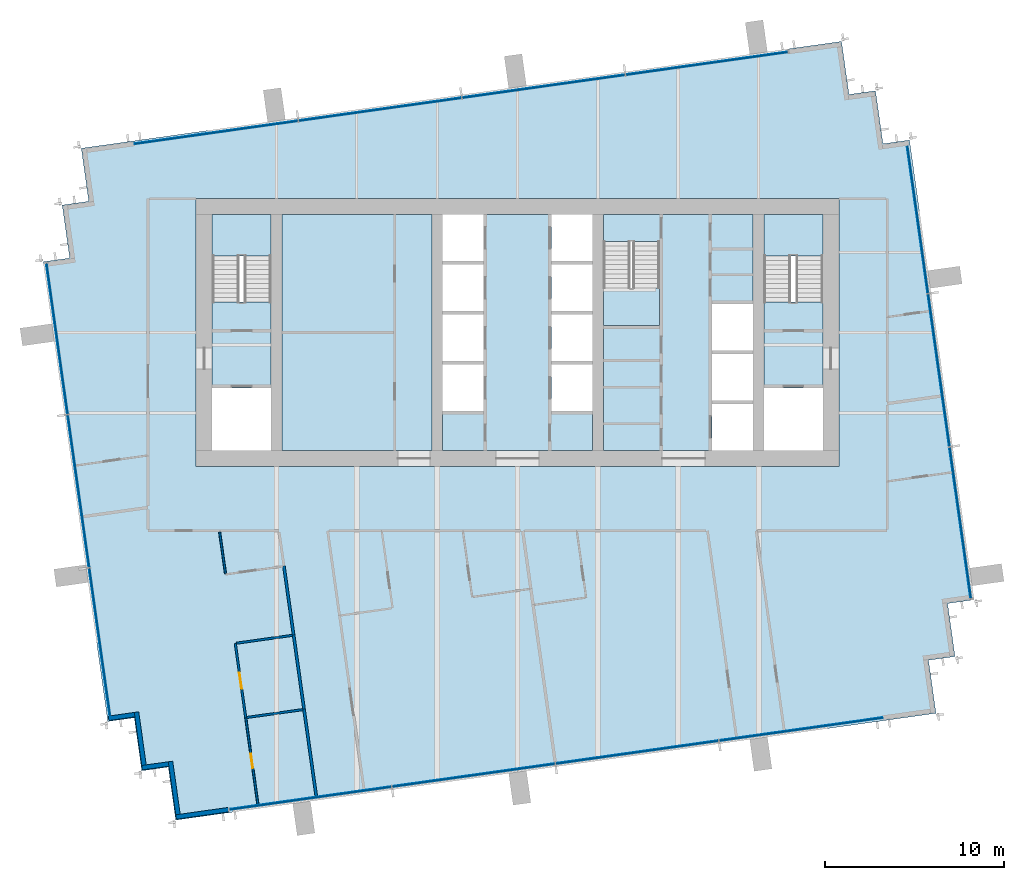
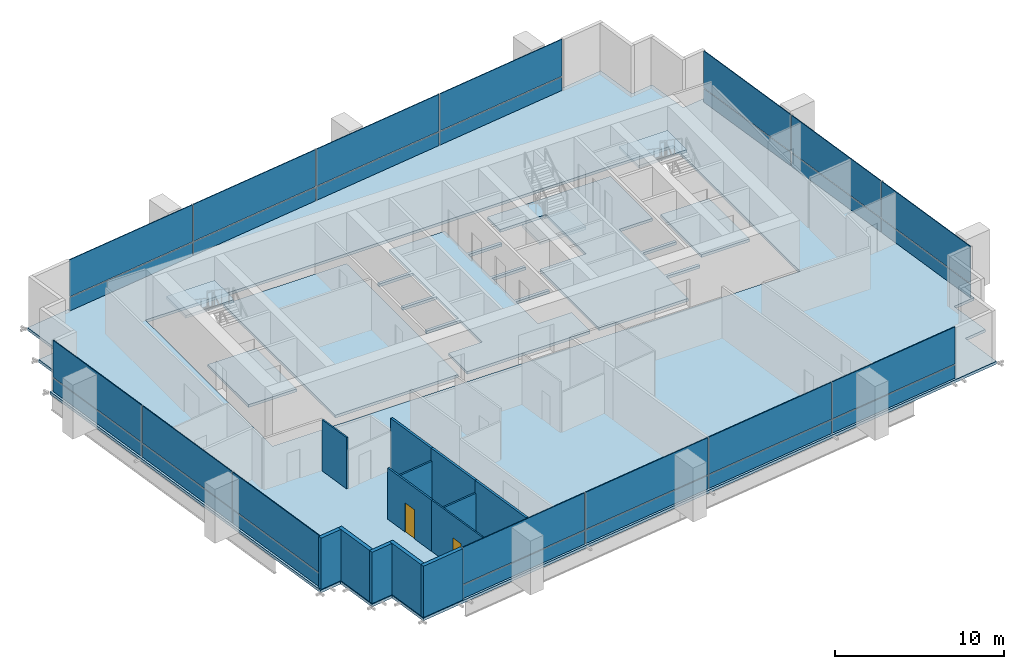
# One storey, part 7 of 12: 28 plates, 13 walls, 9 slabs, 2 doors, 2 openings, 7 elements without a shape of their own.
"""IFC4 building model written with IfcOpenShell, lengths in metres."""

from ifc_helpers import new_model, si_unit, direction, frame, frame_2d, origin, origin_2d, place, context, subcontext, project, spatial, polyline, rectangle, outline, extrude, material, layer, layer_set, type_object, element, fill, aggregate, save


model = new_model("IFC4")

# Units and contexts
model_context = context("Model", 3, precision=1e-05, world=origin(), true_north=direction((0.0, 1.0)))
body_context = subcontext(model_context, "Body", "Model", "MODEL_VIEW")
ifc_project = project(units=[si_unit("LENGTHUNIT", "METRE"), si_unit("AREAUNIT", "SQUARE_METRE"), si_unit("VOLUMEUNIT", "CUBIC_METRE"), si_unit("PLANEANGLEUNIT", "RADIAN"), si_unit("MASSUNIT", "GRAM", prefix="KILO")], contexts=[model_context])

# Site, building, storey
site_placement = place(None, origin())
site = spatial("IfcSite", under=ifc_project, at=site_placement, CompositionType="ELEMENT")
building_placement = place(site_placement, origin())
building = spatial("IfcBuilding", under=site, at=building_placement, Name="Rattan Terrace Tower", CompositionType="ELEMENT")
storey_placement = place(building_placement, frame((0.0, 0.0, 270.699951171875)))
storey = spatial("IfcBuildingStorey", under=building, at=storey_placement, Name="L62", CompositionType="ELEMENT", Elevation=270.699951171875)

# Stair, slab
ifc_material_1 = material(Name="Concrete C40/50", Category="concrete")
stair_type = type_object("IfcStairType", Name="Core exit stair 1500", PredefinedType="HALF_TURN_STAIR", material=ifc_material_1)
stair_1_placement = place(storey_placement, origin())
stair_1 = element("IfcStair", 1, at=stair_1_placement, inside=storey, type_object=stair_type, Name="L62 exit stair 1", PredefinedType="HALF_TURN_STAIR")
ifc_material_2 = material(Name="Concrete C40/50", Category="concrete")
ifc_layer_1 = layer(ifc_material_2, 0.199951171875)
ifc_layer_set_1 = layer_set([ifc_layer_1], Name="Core exit stair landing")
slab_type_1 = type_object("IfcSlabType", Name="Core exit stair landing", PredefinedType="LANDING", material=ifc_layer_set_1)
slab_1_placement = place(storey_placement, frame((0.0, 0.0, 1.75)))
slab_1 = element("IfcSlab", 2, at=slab_1_placement, type_object=slab_type_1, Name="S1 landing 1", PredefinedType="LANDING", context=body_context, shape_type="SweptSolid", body=[
    extrude(outline(polyline([(-13.800048828125, 4.300048828125), (-13.800048828125, 6.60009765625), (-17.10009765625, 6.60009765625), (-17.10009765625, 4.300048828125), (-13.800048828125, 4.300048828125)])), origin(), (0.0, 0.0, 1.0), 0.199951171875),
])
aggregate(stair_1, [slab_1])

stair_2_placement = place(storey_placement, origin())
stair_2 = element("IfcStair", 3, at=stair_2_placement, inside=storey, type_object=stair_type, Name="L62 exit stair 2", PredefinedType="HALF_TURN_STAIR")
slab_2_placement = place(storey_placement, frame((0.0, 0.0, 1.75)))
slab_2 = element("IfcSlab", 4, at=slab_2_placement, type_object=slab_type_1, Name="S2 landing 1", PredefinedType="LANDING", context=body_context, shape_type="SweptSolid", body=[
    extrude(outline(polyline([(17.10009765625, 4.300048828125), (17.10009765625, 6.60009765625), (13.800048828125, 6.60009765625), (13.800048828125, 4.300048828125), (17.10009765625, 4.300048828125)])), origin(), (0.0, 0.0, 1.0), 0.199951171875),
])
aggregate(stair_2, [slab_2])

stair_3_placement = place(storey_placement, origin())
stair_3 = element("IfcStair", 5, at=stair_3_placement, inside=storey, type_object=stair_type, Name="L62 exit stair 3", PredefinedType="HALF_TURN_STAIR")
slab_3_placement = place(storey_placement, frame((0.0, 0.0, 1.75)))
slab_3 = element("IfcSlab", 6, at=slab_3_placement, type_object=slab_type_1, Name="S3 landing 1", PredefinedType="LANDING", context=body_context, shape_type="SweptSolid", body=[
    extrude(outline(polyline([(4.800048828125, 2.5), (4.800048828125, 0.39990234375), (7.949951171875, 0.39990234375), (7.949951171875, 2.5), (4.800048828125, 2.5)])), origin(), (0.0, 0.0, 1.0), 0.199951171875),
])
aggregate(stair_3, [slab_3])

# Slabs
ifc_material_3 = material(Name="Concrete C35/45", Category="concrete")
ifc_layer_2 = layer(ifc_material_3, 0.199951171875)
ifc_layer_set_2 = layer_set([ifc_layer_2], Name="Frame composite floor slab 200")
slab_type_2 = type_object("IfcSlabType", Name="Frame composite floor slab 200", PredefinedType="FLOOR", material=ifc_layer_set_2)
slab_4_placement = place(storey_placement, frame((0.0, 0.0, -0.199951171875)))
element("IfcSlab", 7, at=slab_4_placement, inside=storey, type_object=slab_type_2, Name="Floor slab", PredefinedType="FLOOR", context=body_context, shape_type="SweptSolid", body=[
    extrude(outline(polyline([(-16.176025390625, -26.889892578125), (20.464111328125, -21.739990234375), (23.43505859375, -21.322998046875), (23.01806640625, -18.35205078125), (24.5029296875, -18.14306640625), (24.0849609375, -15.173095703125), (25.571044921875, -14.964111328125), (21.951904296875, 10.782958984375), (20.467041015625, 10.573974609375), (20.049072265625, 13.544921875), (18.56396484375, 13.3369140625), (18.14599609375, 16.306884765625), (15.176025390625, 15.889892578125), (-21.464111328125, 10.739990234375), (-24.43505859375, 10.322998046875), (-24.01806640625, 7.35205078125), (-25.5029296875, 7.14306640625), (-25.0849609375, 4.173095703125), (-26.571044921875, 3.964111328125), (-22.951904296875, -21.782958984375), (-21.467041015625, -21.573974609375), (-21.049072265625, -24.544921875), (-19.56396484375, -24.3369140625), (-19.14599609375, -27.306884765625), (-16.176025390625, -26.889892578125)]), holes=[polyline([(-18.0, -7.5), (18.0, -7.5), (18.0, -6.60009765625), (18.0, 6.60009765625), (18.0, 7.5), (-18.0, 7.5), (-18.0, 6.60009765625), (-18.0, -6.60009765625), (-18.0, -7.5)])]), origin(), (0.0, 0.0, 1.0), 0.199951171875),
])
slab_5_placement = place(storey_placement, frame((0.0, 0.0, -0.199951171875)))
element("IfcSlab", 8, at=slab_5_placement, inside=storey, type_object=slab_type_2, Name="Floor slab", PredefinedType="FLOOR", context=body_context, shape_type="SweptSolid", body=[
    extrude(outline(polyline([(13.199951171875, 6.60009765625), (4.800048828125, 6.60009765625), (4.800048828125, 5.090087890625), (7.949951171875, 5.090087890625), (7.949951171875, 0.39990234375), (4.800048828125, 0.39990234375), (4.800048828125, -6.60009765625), (10.89990234375, -6.60009765625), (10.89990234375, -4.0), (13.199951171875, -4.0), (13.199951171875, -3.800048828125), (10.89990234375, -3.800048828125), (10.89990234375, -1.199951171875), (13.199951171875, -1.199951171875), (13.199951171875, -1.0), (10.89990234375, -1.0), (10.89990234375, 1.60009765625), (13.199951171875, 1.60009765625), (13.199951171875, 6.60009765625)])), origin(), (0.0, 0.0, 1.0), 0.199951171875),
])
slab_6_placement = place(storey_placement, frame((0.0, 0.0, -0.199951171875)))
element("IfcSlab", 9, at=slab_6_placement, inside=storey, type_object=slab_type_2, Name="Floor slab", PredefinedType="FLOOR", context=body_context, shape_type="SweptSolid", body=[
    extrude(outline(polyline([(1.89990234375, 6.60009765625), (-1.89990234375, 6.60009765625), (-1.89990234375, 4.0), (-4.199951171875, 4.0), (-4.199951171875, 3.800048828125), (-1.89990234375, 3.800048828125), (-1.89990234375, 1.199951171875), (-4.199951171875, 1.199951171875), (-4.199951171875, 1.0), (-1.89990234375, 1.0), (-1.89990234375, -1.60009765625), (-4.199951171875, -1.60009765625), (-4.199951171875, -1.800048828125), (-1.89990234375, -1.800048828125), (-1.89990234375, -4.39990234375), (-4.199951171875, -4.39990234375), (-4.199951171875, -6.60009765625), (4.199951171875, -6.60009765625), (4.199951171875, -4.39990234375), (1.89990234375, -4.39990234375), (1.89990234375, -1.800048828125), (4.199951171875, -1.800048828125), (4.199951171875, -1.60009765625), (1.89990234375, -1.60009765625), (1.89990234375, 1.0), (4.199951171875, 1.0), (4.199951171875, 1.199951171875), (1.89990234375, 1.199951171875), (1.89990234375, 3.800048828125), (4.199951171875, 3.800048828125), (4.199951171875, 4.0), (1.89990234375, 4.0), (1.89990234375, 6.60009765625)])), origin(), (0.0, 0.0, 1.0), 0.199951171875),
])
slab_7_placement = place(storey_placement, frame((0.0, 0.0, -0.199951171875)))
element("IfcSlab", 10, at=slab_7_placement, inside=storey, type_object=slab_type_2, Name="Floor slab", PredefinedType="FLOOR", context=body_context, shape_type="SweptSolid", body=[
    extrude(outline(polyline([(-17.10009765625, -3.10009765625), (-13.800048828125, -3.10009765625), (-13.800048828125, 1.7099609375), (-17.10009765625, 1.7099609375), (-17.10009765625, -3.10009765625)])), origin(), (0.0, 0.0, 1.0), 0.199951171875),
])
slab_8_placement = place(storey_placement, frame((0.0, 0.0, -0.199951171875)))
element("IfcSlab", 11, at=slab_8_placement, inside=storey, type_object=slab_type_2, Name="Floor slab", PredefinedType="FLOOR", context=body_context, shape_type="SweptSolid", body=[
    extrude(outline(polyline([(-4.800048828125, -6.60009765625), (-4.800048828125, 6.60009765625), (-13.199951171875, 6.60009765625), (-13.199951171875, -6.60009765625), (-4.800048828125, -6.60009765625)])), origin(), (0.0, 0.0, 1.0), 0.199951171875),
])
slab_9_placement = place(storey_placement, frame((0.0, 0.0, -0.199951171875)))
element("IfcSlab", 12, at=slab_9_placement, inside=storey, type_object=slab_type_2, Name="Floor slab", PredefinedType="FLOOR", context=body_context, shape_type="SweptSolid", body=[
    extrude(outline(polyline([(13.800048828125, -3.10009765625), (17.10009765625, -3.10009765625), (17.10009765625, 1.7099609375), (13.800048828125, 1.7099609375), (13.800048828125, -3.10009765625)])), origin(), (0.0, 0.0, 1.0), 0.199951171875),
])

# Curtain wall, plates
ifc_material_4 = material(Name="Aluminium and laminated glass", Category="aluminium")
ifc_layer_3 = layer(ifc_material_4, 0.199951171875)
ifc_layer_set_3 = layer_set([ifc_layer_3], Name="High-Zone Unitised Curtain Wall")
curtain_wall_type = type_object("IfcCurtainWallType", Name="High-Zone Unitised Curtain Wall", PredefinedType="NOTDEFINED", material=ifc_layer_set_3)
curtain_wall_1_placement = place(storey_placement, origin())
curtain_wall_1 = element("IfcCurtainWall", 13, at=curtain_wall_1_placement, inside=storey, type_object=curtain_wall_type, Name="High-zone curtain wall L62-1", PredefinedType="NOTDEFINED")
ifc_material_5 = material(Name="Aluminium insulated spandrel panel", Category="aluminium")
ifc_layer_4 = layer(ifc_material_5, 0.050048828125)
ifc_layer_set_4 = layer_set([ifc_layer_4], Name="High-Zone CW Spandrel Panel")
plate_type_1 = type_object("IfcPlateType", Name="High-Zone CW Spandrel Panel", PredefinedType="CURTAIN_PANEL", material=ifc_layer_set_4)
plate_1_placement = place(storey_placement, frame((24.7939453125, -10.65673828125, 0.0), z_axis=(0.0, 0.0, 1.0), x_axis=(-0.139191775431, 0.990265444036, 0.0)))
plate_1 = element("IfcPlate", 14, at=plate_1_placement, type_object=plate_type_1, Name="Panel cwl-L62-001.1.1", PredefinedType="CURTAIN_PANEL", context=body_context, shape_type="SweptSolid", body=[
    extrude(rectangle(XDim=8.51708984375, YDim=0.050048828125, at=origin_2d()), origin(), (0.0, 0.0, 1.0), 0.965087890625),
])
plate_2_placement = place(storey_placement, frame((23.593017578125, -2.11376953125, 0.0), z_axis=(0.0, 0.0, 1.0), x_axis=(-0.139191775431, 0.990265444036, 0.0)))
plate_2 = element("IfcPlate", 15, at=plate_2_placement, type_object=plate_type_1, Name="Panel cwl-L62-001.2.1", PredefinedType="CURTAIN_PANEL", context=body_context, shape_type="SweptSolid", body=[
    extrude(rectangle(XDim=8.596923828125, YDim=0.050048828125, at=origin_2d()), origin(), (0.0, 0.0, 1.0), 0.965087890625),
])
plate_3_placement = place(storey_placement, frame((22.40478515625, 6.339599609375, 0.0), z_axis=(0.0, 0.0, 1.0), x_axis=(-0.139191775431, 0.990265444036, 0.0)))
plate_3 = element("IfcPlate", 16, at=plate_3_placement, type_object=plate_type_1, Name="Panel cwl-L62-001.3.1", PredefinedType="CURTAIN_PANEL", context=body_context, shape_type="SweptSolid", body=[
    extrude(rectangle(XDim=8.336181640625, YDim=0.050048828125, at=origin_2d()), origin(), (0.0, 0.0, 1.0), 0.965087890625),
])

curtain_wall_2_placement = place(storey_placement, origin())
curtain_wall_2 = element("IfcCurtainWall", 17, at=curtain_wall_2_placement, inside=storey, type_object=curtain_wall_type, Name="High-zone curtain wall L62-2", PredefinedType="NOTDEFINED")
plate_4_placement = place(storey_placement, frame((10.602783203125, 15.075439453125, 0.0), z_axis=(0.0, 0.0, 1.0), x_axis=(-0.990265894013, -0.139188574079, 0.0)))
plate_4 = element("IfcPlate", 18, at=plate_4_placement, type_object=plate_type_1, Name="Panel cwl-L62-002.1.1", PredefinedType="CURTAIN_PANEL", context=body_context, shape_type="SweptSolid", body=[
    extrude(rectangle(XDim=9.14404296875, YDim=0.050048828125, at=origin_2d()), origin(), (0.0, 0.0, 1.0), 0.965087890625),
])
plate_5_placement = place(storey_placement, frame((1.461181640625, 13.79052734375, 0.0), z_axis=(0.0, 0.0, 1.0), x_axis=(-0.990265894013, -0.139188574079, 0.0)))
plate_5 = element("IfcPlate", 19, at=plate_5_placement, type_object=plate_type_1, Name="Panel cwl-L62-002.2.1", PredefinedType="CURTAIN_PANEL", context=body_context, shape_type="SweptSolid", body=[
    extrude(rectangle(XDim=9.178955078125, YDim=0.050048828125, at=origin_2d()), origin(), (0.0, 0.0, 1.0), 0.965087890625),
])
plate_6_placement = place(storey_placement, frame((-7.69775390625, 12.503173828125, 0.0), z_axis=(0.0, 0.0, 1.0), x_axis=(-0.990265894013, -0.139188574079, 0.0)))
plate_6 = element("IfcPlate", 20, at=plate_6_placement, type_object=plate_type_1, Name="Panel cwl-L62-002.3.1", PredefinedType="CURTAIN_PANEL", context=body_context, shape_type="SweptSolid", body=[
    extrude(rectangle(XDim=9.178955078125, YDim=0.050048828125, at=origin_2d()), origin(), (0.0, 0.0, 1.0), 0.965087890625),
])
plate_7_placement = place(storey_placement, frame((-16.876220703125, 11.213134765625, 0.0), z_axis=(0.0, 0.0, 1.0), x_axis=(-0.990265894013, -0.139188574079, 0.0)))
plate_7 = element("IfcPlate", 21, at=plate_7_placement, type_object=plate_type_1, Name="Panel cwl-L62-002.4.1", PredefinedType="CURTAIN_PANEL", context=body_context, shape_type="SweptSolid", body=[
    extrude(rectangle(XDim=9.21826171875, YDim=0.050048828125, at=origin_2d()), origin(), (0.0, 0.0, 1.0), 0.965087890625),
])

curtain_wall_3_placement = place(storey_placement, origin())
curtain_wall_3 = element("IfcCurtainWall", 22, at=curtain_wall_3_placement, inside=storey, type_object=curtain_wall_type, Name="High-zone curtain wall L62-3", PredefinedType="NOTDEFINED")
plate_8_placement = place(storey_placement, frame((-25.7939453125, -0.34326171875, 0.0), z_axis=(0.0, 0.0, 1.0), x_axis=(0.139191775431, -0.990265444036, 0.0)))
plate_8 = element("IfcPlate", 23, at=plate_8_placement, type_object=plate_type_1, Name="Panel cwl-L62-003.1.1", PredefinedType="CURTAIN_PANEL", context=body_context, shape_type="SweptSolid", body=[
    extrude(rectangle(XDim=8.51708984375, YDim=0.050048828125, at=origin_2d()), origin(), (0.0, 0.0, 1.0), 0.965087890625),
])
plate_9_placement = place(storey_placement, frame((-24.593017578125, -8.88623046875, 0.0), z_axis=(0.0, 0.0, 1.0), x_axis=(0.139191775431, -0.990265444036, 0.0)))
plate_9 = element("IfcPlate", 24, at=plate_9_placement, type_object=plate_type_1, Name="Panel cwl-L62-003.2.1", PredefinedType="CURTAIN_PANEL", context=body_context, shape_type="SweptSolid", body=[
    extrude(rectangle(XDim=8.596923828125, YDim=0.050048828125, at=origin_2d()), origin(), (0.0, 0.0, 1.0), 0.965087890625),
])
plate_10_placement = place(storey_placement, frame((-23.40478515625, -17.339599609375, 0.0), z_axis=(0.0, 0.0, 1.0), x_axis=(0.139191775431, -0.990265444036, 0.0)))
plate_10 = element("IfcPlate", 25, at=plate_10_placement, type_object=plate_type_1, Name="Panel cwl-L62-003.3.1", PredefinedType="CURTAIN_PANEL", context=body_context, shape_type="SweptSolid", body=[
    extrude(rectangle(XDim=8.336181640625, YDim=0.050048828125, at=origin_2d()), origin(), (0.0, 0.0, 1.0), 0.965087890625),
])

curtain_wall_4_placement = place(storey_placement, origin())
curtain_wall_4 = element("IfcCurtainWall", 26, at=curtain_wall_4_placement, inside=storey, type_object=curtain_wall_type, Name="High-zone curtain wall L62-4", PredefinedType="NOTDEFINED")
plate_11_placement = place(storey_placement, frame((-11.602783203125, -26.075439453125, 0.0), z_axis=(0.0, 0.0, 1.0), x_axis=(0.990265894013, 0.139188574079, 0.0)))
plate_11 = element("IfcPlate", 27, at=plate_11_placement, type_object=plate_type_1, Name="Panel cwl-L62-004.1.1", PredefinedType="CURTAIN_PANEL", context=body_context, shape_type="SweptSolid", body=[
    extrude(rectangle(XDim=9.14404296875, YDim=0.050048828125, at=origin_2d()), origin(), (0.0, 0.0, 1.0), 0.965087890625),
])
plate_12_placement = place(storey_placement, frame((-2.461181640625, -24.79052734375, 0.0), z_axis=(0.0, 0.0, 1.0), x_axis=(0.990265894013, 0.139188574079, 0.0)))
plate_12 = element("IfcPlate", 28, at=plate_12_placement, type_object=plate_type_1, Name="Panel cwl-L62-004.2.1", PredefinedType="CURTAIN_PANEL", context=body_context, shape_type="SweptSolid", body=[
    extrude(rectangle(XDim=9.178955078125, YDim=0.050048828125, at=origin_2d()), origin(), (0.0, 0.0, 1.0), 0.965087890625),
])
plate_13_placement = place(storey_placement, frame((6.69775390625, -23.503173828125, 0.0), z_axis=(0.0, 0.0, 1.0), x_axis=(0.990265894013, 0.139188574079, 0.0)))
plate_13 = element("IfcPlate", 29, at=plate_13_placement, type_object=plate_type_1, Name="Panel cwl-L62-004.3.1", PredefinedType="CURTAIN_PANEL", context=body_context, shape_type="SweptSolid", body=[
    extrude(rectangle(XDim=9.178955078125, YDim=0.050048828125, at=origin_2d()), origin(), (0.0, 0.0, 1.0), 0.965087890625),
])
plate_14_placement = place(storey_placement, frame((15.876220703125, -22.213134765625, 0.0), z_axis=(0.0, 0.0, 1.0), x_axis=(0.990265894013, 0.139188574079, 0.0)))
plate_14 = element("IfcPlate", 30, at=plate_14_placement, type_object=plate_type_1, Name="Panel cwl-L62-004.4.1", PredefinedType="CURTAIN_PANEL", context=body_context, shape_type="SweptSolid", body=[
    extrude(rectangle(XDim=9.21826171875, YDim=0.050048828125, at=origin_2d()), origin(), (0.0, 0.0, 1.0), 0.965087890625),
])

# Plate
ifc_material_6 = material(Name="Laminated low-iron glass", Category="glass")
ifc_layer_5 = layer(ifc_material_6, 0.055908203125)
ifc_layer_set_5 = layer_set([ifc_layer_5], Name="High-Zone CW Vision Panel")
plate_type_2 = type_object("IfcPlateType", Name="High-Zone CW Vision Panel", PredefinedType="CURTAIN_PANEL", material=ifc_layer_set_5)
plate_15_placement = place(storey_placement, frame((24.7939453125, -10.65673828125, 1.034912109375), z_axis=(0.0, 0.0, 1.0), x_axis=(-0.139191775431, 0.990265444036, 0.0)))
plate_15 = element("IfcPlate", 31, at=plate_15_placement, type_object=plate_type_2, Name="Panel cwl-L62-001.1.2", PredefinedType="CURTAIN_PANEL", context=body_context, shape_type="SweptSolid", body=[
    extrude(rectangle(XDim=8.51708984375, YDim=0.055908203125, at=origin_2d()), origin(), (0.0, 0.0, 1.0), 2.6650390625),
])

plate_16_placement = place(storey_placement, frame((23.593017578125, -2.11376953125, 1.034912109375), z_axis=(0.0, 0.0, 1.0), x_axis=(-0.139191775431, 0.990265444036, 0.0)))
plate_16 = element("IfcPlate", 32, at=plate_16_placement, type_object=plate_type_2, Name="Panel cwl-L62-001.2.2", PredefinedType="CURTAIN_PANEL", context=body_context, shape_type="SweptSolid", body=[
    extrude(rectangle(XDim=8.596923828125, YDim=0.055908203125, at=origin_2d()), origin(), (0.0, 0.0, 1.0), 2.6650390625),
])

plate_17_placement = place(storey_placement, frame((22.40478515625, 6.339599609375, 1.034912109375), z_axis=(0.0, 0.0, 1.0), x_axis=(-0.139191775431, 0.990265444036, 0.0)))
plate_17 = element("IfcPlate", 33, at=plate_17_placement, type_object=plate_type_2, Name="Panel cwl-L62-001.3.2", PredefinedType="CURTAIN_PANEL", context=body_context, shape_type="SweptSolid", body=[
    extrude(rectangle(XDim=8.336181640625, YDim=0.055908203125, at=origin_2d()), origin(), (0.0, 0.0, 1.0), 2.6650390625),
])

aggregate(curtain_wall_1, [plate_1, plate_15, plate_2, plate_16, plate_3, plate_17])

plate_18_placement = place(storey_placement, frame((10.602783203125, 15.075439453125, 1.034912109375), z_axis=(0.0, 0.0, 1.0), x_axis=(-0.990265894013, -0.139188574079, 0.0)))
plate_18 = element("IfcPlate", 34, at=plate_18_placement, type_object=plate_type_2, Name="Panel cwl-L62-002.1.2", PredefinedType="CURTAIN_PANEL", context=body_context, shape_type="SweptSolid", body=[
    extrude(rectangle(XDim=9.14404296875, YDim=0.055908203125, at=origin_2d()), origin(), (0.0, 0.0, 1.0), 2.6650390625),
])

plate_19_placement = place(storey_placement, frame((1.461181640625, 13.79052734375, 1.034912109375), z_axis=(0.0, 0.0, 1.0), x_axis=(-0.990265894013, -0.139188574079, 0.0)))
plate_19 = element("IfcPlate", 35, at=plate_19_placement, type_object=plate_type_2, Name="Panel cwl-L62-002.2.2", PredefinedType="CURTAIN_PANEL", context=body_context, shape_type="SweptSolid", body=[
    extrude(rectangle(XDim=9.178955078125, YDim=0.055908203125, at=origin_2d()), origin(), (0.0, 0.0, 1.0), 2.6650390625),
])

plate_20_placement = place(storey_placement, frame((-7.69775390625, 12.503173828125, 1.034912109375), z_axis=(0.0, 0.0, 1.0), x_axis=(-0.990265894013, -0.139188574079, 0.0)))
plate_20 = element("IfcPlate", 36, at=plate_20_placement, type_object=plate_type_2, Name="Panel cwl-L62-002.3.2", PredefinedType="CURTAIN_PANEL", context=body_context, shape_type="SweptSolid", body=[
    extrude(rectangle(XDim=9.178955078125, YDim=0.055908203125, at=origin_2d()), origin(), (0.0, 0.0, 1.0), 2.6650390625),
])

plate_21_placement = place(storey_placement, frame((-16.876220703125, 11.213134765625, 1.034912109375), z_axis=(0.0, 0.0, 1.0), x_axis=(-0.990265894013, -0.139188574079, 0.0)))
plate_21 = element("IfcPlate", 37, at=plate_21_placement, type_object=plate_type_2, Name="Panel cwl-L62-002.4.2", PredefinedType="CURTAIN_PANEL", context=body_context, shape_type="SweptSolid", body=[
    extrude(rectangle(XDim=9.21826171875, YDim=0.055908203125, at=origin_2d()), origin(), (0.0, 0.0, 1.0), 2.6650390625),
])

aggregate(curtain_wall_2, [plate_4, plate_18, plate_5, plate_19, plate_6, plate_20, plate_7, plate_21])

plate_22_placement = place(storey_placement, frame((-25.7939453125, -0.34326171875, 1.034912109375), z_axis=(0.0, 0.0, 1.0), x_axis=(0.139191775431, -0.990265444036, 0.0)))
plate_22 = element("IfcPlate", 38, at=plate_22_placement, type_object=plate_type_2, Name="Panel cwl-L62-003.1.2", PredefinedType="CURTAIN_PANEL", context=body_context, shape_type="SweptSolid", body=[
    extrude(rectangle(XDim=8.51708984375, YDim=0.055908203125, at=origin_2d()), origin(), (0.0, 0.0, 1.0), 2.6650390625),
])

plate_23_placement = place(storey_placement, frame((-24.593017578125, -8.88623046875, 1.034912109375), z_axis=(0.0, 0.0, 1.0), x_axis=(0.139191775431, -0.990265444036, 0.0)))
plate_23 = element("IfcPlate", 39, at=plate_23_placement, type_object=plate_type_2, Name="Panel cwl-L62-003.2.2", PredefinedType="CURTAIN_PANEL", context=body_context, shape_type="SweptSolid", body=[
    extrude(rectangle(XDim=8.596923828125, YDim=0.055908203125, at=origin_2d()), origin(), (0.0, 0.0, 1.0), 2.6650390625),
])

plate_24_placement = place(storey_placement, frame((-23.40478515625, -17.339599609375, 1.034912109375), z_axis=(0.0, 0.0, 1.0), x_axis=(0.139191775431, -0.990265444036, 0.0)))
plate_24 = element("IfcPlate", 40, at=plate_24_placement, type_object=plate_type_2, Name="Panel cwl-L62-003.3.2", PredefinedType="CURTAIN_PANEL", context=body_context, shape_type="SweptSolid", body=[
    extrude(rectangle(XDim=8.336181640625, YDim=0.055908203125, at=origin_2d()), origin(), (0.0, 0.0, 1.0), 2.6650390625),
])

aggregate(curtain_wall_3, [plate_8, plate_22, plate_9, plate_23, plate_10, plate_24])

plate_25_placement = place(storey_placement, frame((-11.602783203125, -26.075439453125, 1.034912109375), z_axis=(0.0, 0.0, 1.0), x_axis=(0.990265894013, 0.139188574079, 0.0)))
plate_25 = element("IfcPlate", 41, at=plate_25_placement, type_object=plate_type_2, Name="Panel cwl-L62-004.1.2", PredefinedType="CURTAIN_PANEL", context=body_context, shape_type="SweptSolid", body=[
    extrude(rectangle(XDim=9.14404296875, YDim=0.055908203125, at=origin_2d()), origin(), (0.0, 0.0, 1.0), 2.6650390625),
])

plate_26_placement = place(storey_placement, frame((-2.461181640625, -24.79052734375, 1.034912109375), z_axis=(0.0, 0.0, 1.0), x_axis=(0.990265894013, 0.139188574079, 0.0)))
plate_26 = element("IfcPlate", 42, at=plate_26_placement, type_object=plate_type_2, Name="Panel cwl-L62-004.2.2", PredefinedType="CURTAIN_PANEL", context=body_context, shape_type="SweptSolid", body=[
    extrude(rectangle(XDim=9.178955078125, YDim=0.055908203125, at=origin_2d()), origin(), (0.0, 0.0, 1.0), 2.6650390625),
])

plate_27_placement = place(storey_placement, frame((6.69775390625, -23.503173828125, 1.034912109375), z_axis=(0.0, 0.0, 1.0), x_axis=(0.990265894013, 0.139188574079, 0.0)))
plate_27 = element("IfcPlate", 43, at=plate_27_placement, type_object=plate_type_2, Name="Panel cwl-L62-004.3.2", PredefinedType="CURTAIN_PANEL", context=body_context, shape_type="SweptSolid", body=[
    extrude(rectangle(XDim=9.178955078125, YDim=0.055908203125, at=origin_2d()), origin(), (0.0, 0.0, 1.0), 2.6650390625),
])

plate_28_placement = place(storey_placement, frame((15.876220703125, -22.213134765625, 1.034912109375), z_axis=(0.0, 0.0, 1.0), x_axis=(0.990265894013, 0.139188574079, 0.0)))
plate_28 = element("IfcPlate", 44, at=plate_28_placement, type_object=plate_type_2, Name="Panel cwl-L62-004.4.2", PredefinedType="CURTAIN_PANEL", context=body_context, shape_type="SweptSolid", body=[
    extrude(rectangle(XDim=9.21826171875, YDim=0.055908203125, at=origin_2d()), origin(), (0.0, 0.0, 1.0), 2.6650390625),
])

aggregate(curtain_wall_4, [plate_11, plate_25, plate_12, plate_26, plate_13, plate_27, plate_14, plate_28])

# Walls
ifc_material_7 = material(Name="Insulated aluminium-clad stud wall", Category="aluminium")
ifc_layer_6 = layer(ifc_material_7, 0.25)
ifc_layer_set_6 = layer_set([ifc_layer_6], Name="Facade Riser Wall 250")
wall_type_1 = type_object("IfcWallType", Name="Facade Riser Wall 250", PredefinedType="SOLIDWALL", material=ifc_layer_set_6)
wall_1_placement = place(storey_placement, frame((-22.90625, -21.60498046875, 0.0), z_axis=(0.0, 0.0, 1.0), x_axis=(0.990235520307, 0.13940449893, 0.0)))
element("IfcWall", 45, at=wall_1_placement, inside=storey, type_object=wall_type_1, Name="Riser wall L62-16", PredefinedType="SOLIDWALL", context=body_context, shape_type="SweptSolid", body=[
    extrude(rectangle(XDim=1.474609375, YDim=0.25, at=frame_2d((0.7373046875, 0.0))), origin(), (0.0, 0.0, 1.0), 3.699951171875),
])
wall_2_placement = place(storey_placement, frame((-21.33984375, -21.25830078125, 0.0), z_axis=(0.0, 0.0, 1.0), x_axis=(0.139393225799, -0.990237107263, 0.0)))
element("IfcWall", 46, at=wall_2_placement, inside=storey, type_object=wall_type_1, Name="Riser wall L62-17", PredefinedType="SOLIDWALL", context=body_context, shape_type="SweptSolid", body=[
    extrude(rectangle(XDim=3.000244140625, YDim=0.25, at=frame_2d((1.5, 0.0))), origin(), (0.0, 0.0, 1.0), 3.699951171875),
])
wall_3_placement = place(storey_placement, frame((-21.028076171875, -24.370361328125, 0.0), z_axis=(0.0, 0.0, 1.0), x_axis=(0.990330117064, 0.138730887823, 0.0)))
element("IfcWall", 47, at=wall_3_placement, inside=storey, type_object=wall_type_1, Name="Riser wall L62-18", PredefinedType="SOLIDWALL", context=body_context, shape_type="SweptSolid", body=[
    extrude(rectangle(XDim=1.499267578125, YDim=0.25, at=frame_2d((0.74951171875, 0.0))), origin(), (0.0, 0.0, 1.0), 3.699951171875),
])
wall_4_placement = place(storey_placement, frame((-19.436767578125, -24.021240234375, 0.0), z_axis=(0.0, 0.0, 1.0), x_axis=(0.139358350296, -0.990242015975, 0.0)))
element("IfcWall", 48, at=wall_4_placement, inside=storey, type_object=wall_type_1, Name="Riser wall L62-19", PredefinedType="SOLIDWALL", context=body_context, shape_type="SweptSolid", body=[
    extrude(rectangle(XDim=2.999267578125, YDim=0.25, at=frame_2d((1.49951171875, 0.0))), origin(), (0.0, 0.0, 1.0), 3.699951171875),
])
wall_5_placement = place(storey_placement, frame((-19.125244140625, -27.13232421875, 0.0), z_axis=(0.0, 0.0, 1.0), x_axis=(0.990291981483, 0.139002846771, 0.0)))
element("IfcWall", 49, at=wall_5_placement, inside=storey, type_object=wall_type_1, Name="Riser wall L62-20", PredefinedType="SOLIDWALL", context=body_context, shape_type="SweptSolid", body=[
    extrude(rectangle(XDim=2.9541015625, YDim=0.25, at=frame_2d((1.47705078125, 0.0))), origin(), (0.0, 0.0, 1.0), 3.699951171875),
])

# Wall, opening, door
ifc_material_8 = material(Name="Gypsum board partition on steel studs", Category="steel")
ifc_layer_7 = layer(ifc_material_8, 0.10009765625)
ifc_layer_set_7 = layer_set([ifc_layer_7], Name="Floors Partition 100")
wall_type_2 = type_object("IfcWallType", Name="Floors Partition 100", PredefinedType="PARTITIONING", material=ifc_layer_set_7)
wall_6_placement = place(storey_placement, frame((-15.221923828125, -21.5859375, 0.0), z_axis=(0.0, 0.0, 1.0), x_axis=(0.139120882778, -0.990275406124, 0.0)))
wall_6 = element("IfcWall", 50, at=wall_6_placement, inside=storey, type_object=wall_type_2, Name="pt-L62-026", PredefinedType="PARTITIONING", context=body_context, shape_type="SweptSolid", body=[
    extrude(rectangle(XDim=4.859375, YDim=0.10009765625, at=frame_2d((2.4296875, 0.0))), origin(), (0.0, 0.0, 1.0), 3.699951171875),
])
opening_1_placement = place(wall_6_placement, frame((2.030029296875, 0.0, 0.0)))
opening_1 = element("IfcOpeningElement", 51, at=opening_1_placement, cuts=wall_6, Name="Opening L62-D101", PredefinedType="OPENING", context=body_context, shape_type="SweptSolid", body=[
    extrude(rectangle(XDim=0.800048828125, YDim=2.10009765625, at=frame_2d((0.39990234375, 1.050048828125))), frame((0.0, 0.060546875, 0.0), z_axis=(0.0, -1.0, 0.0), x_axis=(1.0, 0.0, 0.0)), (0.0, 0.0, 1.0), 0.12109375),
])
ifc_material_9 = material(Name="Solid core timber door, painted", Category="wood")
door_type_1 = type_object("IfcDoorType", Name="Floors Store Door 800x2100", OperationType="NOTDEFINED", PredefinedType="DOOR", material=ifc_material_9)
door_1_placement = place(opening_1_placement, origin())
door_1 = element("IfcDoor", 52, at=door_1_placement, inside=storey, type_object=door_type_1, Name="d-L62-101", OperationType="SINGLE_SWING_RIGHT", OverallHeight=2.10009765625, OverallWidth=0.800048828125, PredefinedType="DOOR", context=body_context, shape_type="SweptSolid", body=[
    extrude(rectangle(XDim=0.800048828125, YDim=2.10009765625, at=frame_2d((0.39990234375, 1.050048828125))), frame((0.0, 0.02490234375, 0.0), z_axis=(0.0, -1.0, 0.0), x_axis=(1.0, 0.0, 0.0)), (0.0, 0.0, 1.0), 0.050048828125),
])
fill(opening_1, door_1)

# Walls
wall_7_placement = place(storey_placement, frame((-16.68701171875, -11.16796875, 0.0), z_axis=(0.0, 0.0, 1.0), x_axis=(0.139560302367, -0.990213573934, 0.0)))
element("IfcWall", 53, at=wall_7_placement, inside=storey, type_object=wall_type_2, Name="pt-L62-029", PredefinedType="PARTITIONING", context=body_context, shape_type="SweptSolid", body=[
    extrude(rectangle(XDim=2.35107421875, YDim=0.10009765625, at=frame_2d((1.175537109375, 0.0))), origin(), (0.0, 0.0, 1.0), 3.699951171875),
])
ifc_material_10 = material(Name="Gypsum board partition on steel studs, fire rated", Category="steel")
ifc_layer_8 = layer(ifc_material_10, 0.14990234375)
ifc_layer_set_8 = layer_set([ifc_layer_8], Name="Floors Tenancy Wall 150")
wall_type_3 = type_object("IfcWallType", Name="Floors Tenancy Wall 150", PredefinedType="PARTITIONING", material=ifc_layer_set_8)
wall_8_placement = place(storey_placement, frame((-12.5439453125, -16.927978515625, 0.0), z_axis=(0.0, 0.0, 1.0), x_axis=(-0.139221261089, 0.990261299083, 0.0)))
element("IfcWall", 54, at=wall_8_placement, inside=storey, type_object=wall_type_3, Name="pt-L62-003", PredefinedType="PARTITIONING", context=body_context, shape_type="SweptSolid", body=[
    extrude(rectangle(XDim=3.900146484375, YDim=0.14990234375, at=frame_2d((1.9501953125, 0.0))), origin(), (0.0, 0.0, 1.0), 3.699951171875),
])
wall_9_placement = place(storey_placement, frame((-11.278076171875, -25.93896484375, 0.0), z_axis=(0.0, 0.0, 1.0), x_axis=(-0.139167797017, 0.990268814148, 0.0)))
element("IfcWall", 55, at=wall_9_placement, inside=storey, type_object=wall_type_3, Name="pt-L62-004", PredefinedType="PARTITIONING", context=body_context, shape_type="SweptSolid", body=[
    extrude(rectangle(XDim=4.899658203125, YDim=0.14990234375, at=frame_2d((2.44970703125, 0.0))), origin(), (0.0, 0.0, 1.0), 3.699951171875),
])
wall_10_placement = place(storey_placement, frame((-11.9599609375, -21.0869140625, 0.0), z_axis=(0.0, 0.0, 1.0), x_axis=(-0.139052638616, 0.990284991148, 0.0)))
element("IfcWall", 56, at=wall_10_placement, inside=storey, type_object=wall_type_3, Name="pt-L62-005", PredefinedType="PARTITIONING", context=body_context, shape_type="SweptSolid", body=[
    extrude(rectangle(XDim=4.19970703125, YDim=0.14990234375, at=frame_2d((2.099853515625, 0.0))), origin(), (0.0, 0.0, 1.0), 3.699951171875),
])

# Wall, opening, door
ifc_material_11 = material(Name="Moisture resistant gypsum board partition on steel studs with service cavity", Category="steel")
ifc_layer_9 = layer(ifc_material_11, 0.1201171875)
ifc_layer_set_9 = layer_set([ifc_layer_9], Name="Floors Wet Wall 120")
wall_type_4 = type_object("IfcWallType", Name="Floors Wet Wall 120", PredefinedType="PARTITIONING", material=ifc_layer_set_9)
wall_11_placement = place(storey_placement, frame((-15.80908203125, -17.406982421875, 0.0), z_axis=(0.0, 0.0, 1.0), x_axis=(0.139136935655, -0.99027315077, 0.0)))
wall_11 = element("IfcWall", 57, at=wall_11_placement, inside=storey, type_object=wall_type_4, Name="pt-L62-027", PredefinedType="PARTITIONING", context=body_context, shape_type="SweptSolid", body=[
    extrude(rectangle(XDim=4.219970703125, YDim=0.1201171875, at=frame_2d((2.10986328125, 0.0))), origin(), (0.0, 0.0, 1.0), 3.699951171875),
])
opening_2_placement = place(wall_11_placement, frame((1.659912109375, 0.0, 0.0)))
opening_2 = element("IfcOpeningElement", 58, at=opening_2_placement, cuts=wall_11, Name="Opening L62-D102", PredefinedType="OPENING", context=body_context, shape_type="SweptSolid", body=[
    extrude(rectangle(XDim=0.89990234375, YDim=2.10009765625, at=frame_2d((0.449951171875, 1.050048828125))), frame((0.0, 0.070556640625, 0.0), z_axis=(0.0, -1.0, 0.0), x_axis=(1.0, 0.0, 0.0)), (0.0, 0.0, 1.0), 0.14111328125),
])
ifc_material_12 = material(Name="Solid core timber door, painted", Category="wood")
door_type_2 = type_object("IfcDoorType", Name="Floors Door 900x2100", OperationType="NOTDEFINED", PredefinedType="DOOR", material=ifc_material_12)
door_2_placement = place(opening_2_placement, origin())
door_2 = element("IfcDoor", 59, at=door_2_placement, inside=storey, type_object=door_type_2, Name="d-L62-102", OperationType="SINGLE_SWING_LEFT", OverallHeight=2.10009765625, OverallWidth=0.89990234375, PredefinedType="DOOR", context=body_context, shape_type="SweptSolid", body=[
    extrude(rectangle(XDim=0.89990234375, YDim=2.10009765625, at=frame_2d((0.449951171875, 1.050048828125))), frame((0.0, 0.02490234375, 0.0), z_axis=(0.0, -1.0, 0.0), x_axis=(1.0, 0.0, 0.0)), (0.0, 0.0, 1.0), 0.050048828125),
])
fill(opening_2, door_2)

# Walls
for number, where, z_axis, x_axis, name in (
    (60, (-12.614990234375, -16.9580078125, 0.0), (0.0, 0.0, 1.0), (-0.990254086283, -0.139272555084, 0.0), "pt-L62-028"),
    (61, (-15.166015625, -21.55810546875, 0.0), (0.0, 0.0, 1.0), (0.990285967974, 0.139045681821, 0.0), "pt-L62-032"),
):
    element("IfcWall", number, at=place(storey_placement, frame(where, z_axis=z_axis, x_axis=x_axis)), inside=storey, type_object=wall_type_4, Name=name, PredefinedType="PARTITIONING", context=body_context, shape_type="SweptSolid", body=[
        extrude(rectangle(XDim=3.165771484375, YDim=0.1201171875, at=frame_2d((1.5830078125, 0.0))), origin(), (0.0, 0.0, 1.0), 2.800048828125),
    ])

save(model, "model.ifc")
